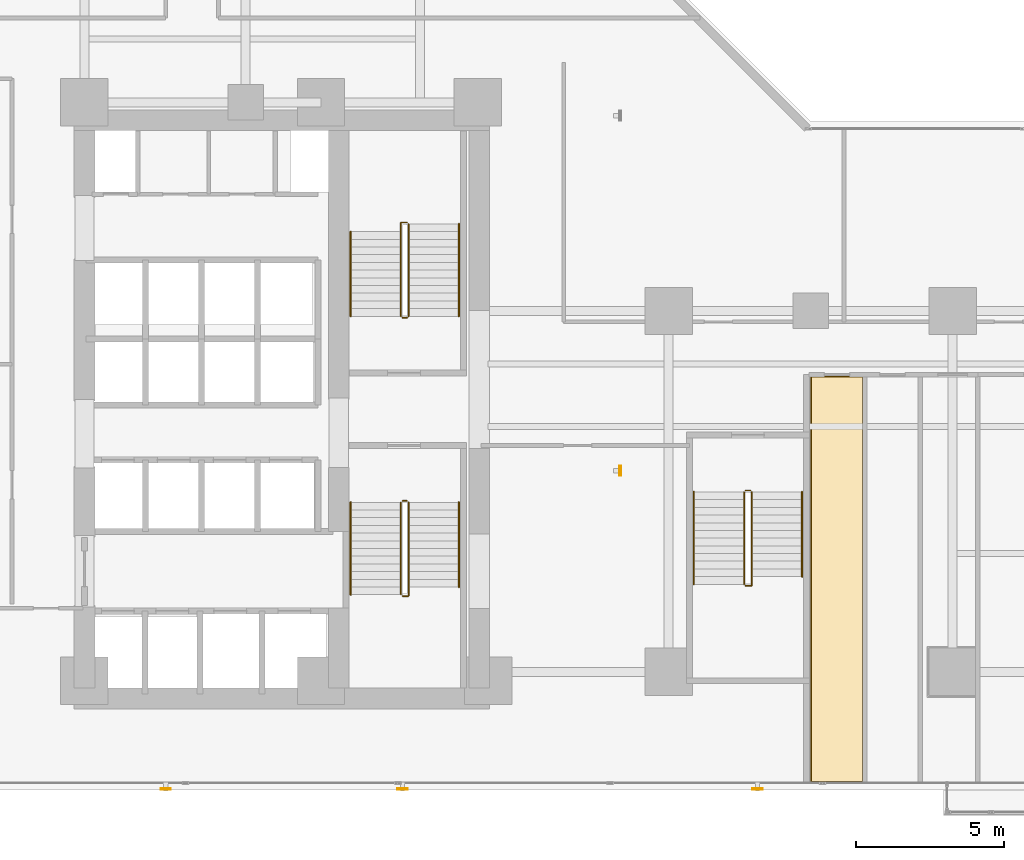
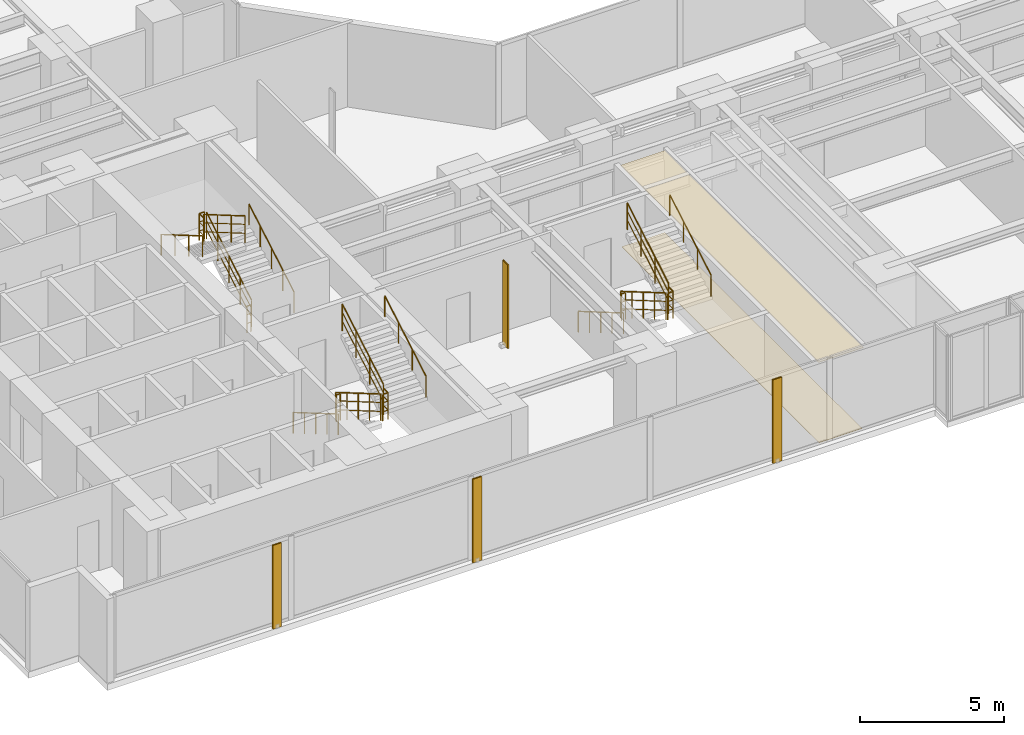
# One storey, part 26 of 28: 18 railings, 4 shading devices, 2 coverings.
"""IFC4 building model written with IfcOpenShell, lengths in metres."""

from ifc_helpers import new_model, si_unit, direction, frame, origin, origin_2d, place, context, subcontext, project, spatial, polyline, hollow_rectangle, circle, outline, extrude, material, layer, layer_set, material_profile, profile_set, type_object, element, save


model = new_model("IFC4")

# Units and contexts
model_context = context("Model", 3, precision=1e-05, world=origin(), true_north=direction((0.0, 1.0)))
body_context = subcontext(model_context, "Body", "Model", "MODEL_VIEW")
ifc_project = project(units=[si_unit("LENGTHUNIT", "METRE"), si_unit("AREAUNIT", "SQUARE_METRE"), si_unit("VOLUMEUNIT", "CUBIC_METRE"), si_unit("PLANEANGLEUNIT", "RADIAN"), si_unit("MASSUNIT", "GRAM", prefix="KILO")], contexts=[model_context])

# Site, building, storey
site_placement = place(None, origin())
site = spatial("IfcSite", under=ifc_project, at=site_placement, CompositionType="ELEMENT")
building_placement = place(site_placement, origin())
building = spatial("IfcBuilding", under=site, at=building_placement, Name="Kolvaren Waterfront Exchange", CompositionType="ELEMENT")
storey_placement = place(building_placement, frame((0.0, 0.0, 41.0)))
storey = spatial("IfcBuildingStorey", under=building, at=storey_placement, Name="L10", CompositionType="ELEMENT", Elevation=41.0)

# Covering
ifc_material_1 = material(Name="Mineral fibre acoustic ceiling tile")
ifc_layer_1 = layer(ifc_material_1, 0.02490234375, Name="Mineral fibre acoustic ceiling tile")
ifc_layer_set_1 = layer_set([ifc_layer_1], Name="Mineral fibre acoustic ceiling tile")
covering_type_1 = type_object("IfcCoveringType", Name="ARC-CEIL-ACOUSTIC-25", PredefinedType="CEILING", material=ifc_layer_set_1)
covering_1_placement = place(storey_placement, frame((0.0, 0.0, 3.425048828125)))
element("IfcCovering", 1, at=covering_1_placement, inside=storey, type_object=covering_type_1, Name="L10 acoustic suspended ceiling 1", PredefinedType="CEILING", context=body_context, shape_type="SweptSolid", body=[
    extrude(outline(polyline([(33.784912109375, 1.465087890625), (33.784912109375, 15.195068359375), (31.9951171875, 15.195068359375), (31.9951171875, 13.35009765625), (32.0, 13.35009765625), (32.0, 4.800048828125), (31.9951171875, 4.800048828125), (31.9951171875, 1.465087890625), (33.784912109375, 1.465087890625)])), origin(), (0.0, 0.0, 1.0), 0.02490234375),
])

# Shading devices
ifc_material_2 = material(Name="Anodised bronze aluminium 6063-T6", Category="aluminium")
ifc_material_profile = material_profile(ifc_material_2, hollow_rectangle(XDim=0.06005859375, YDim=0.35009765625, WallThickness=0.0048828125, at=origin_2d()), Name="BRZ-FIN-350x60x5")
ifc_profile_set = profile_set([ifc_material_profile], Name="Anodised bronze aluminium 6063-T6")
shading_device_type = type_object("IfcShadingDeviceType", Name="ARC-FIN-350", PredefinedType="USERDEFINED", material=ifc_profile_set)
for number, where, z_axis, x_axis, name in (
    (2, (10.199951171875, 1.239990234375, 0.0), (0.0, 0.0, 1.0), (0.0, -1.0, 0.0), "L10 anodised bronze solar shading fin FIN-L10-S1"),
    (3, (18.199951171875, 1.239990234375, 0.0), (0.0, 0.0, 1.0), (0.0, -1.0, 0.0), "L10 anodised bronze solar shading fin FIN-L10-S2"),
    (4, (30.199951171875, 1.239990234375, 0.0), (0.0, 0.0, 1.0), (0.0, -1.0, 0.0), "L10 anodised bronze solar shading fin FIN-L10-S3"),
    (5, (25.56005859375, 12.0, 0.0), (0.0, 0.0, 1.0), (1.0, 0.0, 0.0), "L10 anodised bronze solar shading fin FIN-L10-E1"),
):
    element("IfcShadingDevice", number, at=place(storey_placement, frame(where, z_axis=z_axis, x_axis=x_axis)), inside=storey, type_object=shading_device_type, Name=name, ObjectType="SOLAR FIN", PredefinedType="USERDEFINED", context=body_context, shape_type="SweptSolid", body=[
        extrude(hollow_rectangle(XDim=0.06005859375, YDim=0.35009765625, WallThickness=0.0048828125, at=origin_2d()), origin(), (0.0, 0.0, 1.0), 3.5400390625),
    ])

# Covering
ifc_material_3 = material(Name="Slip-resistant porcelain tile")
ifc_layer_2 = layer(ifc_material_3, 0.014892578125, Name="Slip-resistant porcelain tile")
ifc_layer_set_2 = layer_set([ifc_layer_2], Name="Slip-resistant porcelain tile")
covering_type_2 = type_object("IfcCoveringType", Name="ARC-FLR-PORC-15", PredefinedType="FLOORING", material=ifc_layer_set_2)
covering_2_placement = place(storey_placement, origin())
element("IfcCovering", 6, at=covering_2_placement, inside=storey, type_object=covering_type_2, Name="L10 floor finish 1", PredefinedType="FLOORING", context=body_context, shape_type="SweptSolid", body=[
    extrude(outline(polyline([(32.030029296875, 15.159912109375), (32.030029296875, 1.5), (33.75, 1.5), (33.75, 15.159912109375), (32.030029296875, 15.159912109375)])), origin(), (0.0, 0.0, 1.0), 0.014892578125),
])

# Railings
ifc_material_4 = material(Name="Stainless steel 316", Category="steel")
railing_type_1 = type_object("IfcRailingType", Name="ARC-GUARD-STAIR", PredefinedType="GUARDRAIL", material=ifc_material_4)
railing_1_placement = place(storey_placement, frame((18.14990234375, 10.929931640625, 0.152099609375)))
element("IfcRailing", 7, at=railing_1_placement, inside=storey, type_object=railing_type_1, Name="L10 ST1 stair guard 1", PredefinedType="GUARDRAIL", context=body_context, shape_type="SweptSolid", body=[
    extrude(circle(Radius=0.02392578125, at=origin_2d()), frame((0.0, 0.0, 1.1259765625), z_axis=(0.0, -0.86329090724, 0.504706656858), x_axis=(1.0, 0.0, 0.0)), (0.0, 0.0, 1.0), 3.614013671875),
    extrude(circle(Radius=0.01611328125, at=origin_2d()), frame((0.0, 0.0, 0.390869140625), z_axis=(0.0, -0.86329090724, 0.504706656858), x_axis=(1.0, 0.0, 0.0)), (0.0, 0.0, 1.0), 3.614013671875),
    extrude(circle(Radius=0.01611328125, at=origin_2d()), frame((0.0, 0.0, 0.7705078125), z_axis=(0.0, -0.86329090724, 0.504706656858), x_axis=(1.0, 0.0, 0.0)), (0.0, 0.0, 1.0), 3.614013671875),
    extrude(circle(Radius=0.02099609375, at=origin_2d()), origin(), (0.0, 0.0, 1.0), 1.101806640625),
    extrude(circle(Radius=0.02099609375, at=origin_2d()), frame((0.0, -0.780029296875, 0.4560546875)), (0.0, 0.0, 1.0), 1.101806640625),
    extrude(circle(Radius=0.02099609375, at=origin_2d()), frame((0.0, -1.56005859375, 0.912109375)), (0.0, 0.0, 1.0), 1.101806640625),
    extrude(circle(Radius=0.02099609375, at=origin_2d()), frame((0.0, -2.33984375, 1.367919921875)), (0.0, 0.0, 1.0), 1.101806640625),
    extrude(circle(Radius=0.02099609375, at=origin_2d()), frame((0.0, -3.119873046875, 1.823974609375)), (0.0, 0.0, 1.0), 1.101806640625),
])
railing_2_placement = place(storey_placement, frame((18.199951171875, 7.760009765625, 1.97607421875)))
element("IfcRailing", 8, at=railing_2_placement, inside=storey, type_object=railing_type_1, Name="L10 ST1 stair guard 2", PredefinedType="GUARDRAIL", context=body_context, shape_type="SweptSolid", body=[
    extrude(circle(Radius=0.02392578125, at=origin_2d()), frame((0.0, 0.0, 1.1259765625), z_axis=(1.0, 0.0, 0.0), x_axis=(0.0, 1.0, 0.0)), (0.0, 0.0, 1.0), 0.2099609375),
    extrude(circle(Radius=0.01611328125, at=origin_2d()), frame((0.0, 0.0, 0.390869140625), z_axis=(1.0, 0.0, 0.0), x_axis=(0.0, 1.0, 0.0)), (0.0, 0.0, 1.0), 0.2099609375),
    extrude(circle(Radius=0.01611328125, at=origin_2d()), frame((0.0, 0.0, 0.7705078125), z_axis=(1.0, 0.0, 0.0), x_axis=(0.0, 1.0, 0.0)), (0.0, 0.0, 1.0), 0.2099609375),
    extrude(circle(Radius=0.02392578125, at=origin_2d()), frame((0.2099609375, 0.0, 1.1259765625), z_axis=(0.0, 1.0, 0.0), x_axis=(-1.0, 0.0, 0.0)), (0.0, 0.0, 1.0), 0.31005859375),
    extrude(circle(Radius=0.01611328125, at=origin_2d()), frame((0.2099609375, 0.0, 0.390869140625), z_axis=(0.0, 1.0, 0.0), x_axis=(-1.0, 0.0, 0.0)), (0.0, 0.0, 1.0), 0.31005859375),
    extrude(circle(Radius=0.01611328125, at=origin_2d()), frame((0.2099609375, 0.0, 0.7705078125), z_axis=(0.0, 1.0, 0.0), x_axis=(-1.0, 0.0, 0.0)), (0.0, 0.0, 1.0), 0.31005859375),
    extrude(circle(Radius=0.02099609375, at=origin_2d()), origin(), (0.0, 0.0, 1.0), 1.101806640625),
    extrude(circle(Radius=0.02099609375, at=origin_2d()), frame((0.2099609375, 0.0, 0.0)), (0.0, 0.0, 1.0), 1.101806640625),
    extrude(circle(Radius=0.02099609375, at=origin_2d()), frame((0.2099609375, 0.31005859375, 0.0)), (0.0, 0.0, 1.0), 1.101806640625),
])
railing_3_placement = place(storey_placement, frame((18.409912109375, 8.070068359375, 2.1279296875)))
element("IfcRailing", 9, at=railing_3_placement, inside=storey, type_object=railing_type_1, Name="L10 ST1 stair guard 3", PredefinedType="GUARDRAIL", context=body_context, shape_type="SweptSolid", body=[
    extrude(circle(Radius=0.02392578125, at=origin_2d()), frame((0.0, 0.0, 1.1259765625), z_axis=(0.0, 0.863270611444, 0.50474137082), x_axis=(-1.0, 0.0, 0.0)), (0.0, 0.0, 1.0), 3.312744140625),
    extrude(circle(Radius=0.01611328125, at=origin_2d()), frame((0.0, 0.0, 0.390869140625), z_axis=(0.0, 0.863270611444, 0.50474137082), x_axis=(-1.0, 0.0, 0.0)), (0.0, 0.0, 1.0), 3.312744140625),
    extrude(circle(Radius=0.01611328125, at=origin_2d()), frame((0.0, 0.0, 0.7705078125), z_axis=(0.0, 0.863270611444, 0.50474137082), x_axis=(-1.0, 0.0, 0.0)), (0.0, 0.0, 1.0), 3.312744140625),
    extrude(circle(Radius=0.02099609375, at=origin_2d()), origin(), (0.0, 0.0, 1.0), 1.101806640625),
    extrude(circle(Radius=0.02099609375, at=origin_2d()), frame((0.0, 0.953369140625, 0.557373046875)), (0.0, 0.0, 1.0), 1.101806640625),
    extrude(circle(Radius=0.02099609375, at=origin_2d()), frame((0.0, 1.906494140625, 1.11474609375)), (0.0, 0.0, 1.0), 1.101806640625),
    extrude(circle(Radius=0.02099609375, at=origin_2d()), frame((0.0, 2.85986328125, 1.672119140625)), (0.0, 0.0, 1.0), 1.101806640625),
])
railing_4_placement = place(storey_placement, frame((18.199951171875, 10.97998046875, 0.0)))
element("IfcRailing", 10, at=railing_4_placement, inside=storey, type_object=railing_type_1, Name="L10 ST1 stair guard 4", PredefinedType="GUARDRAIL", context=body_context, shape_type="SweptSolid", body=[
    extrude(circle(Radius=0.02392578125, at=origin_2d()), frame((0.0, 0.0, 1.1259765625), z_axis=(1.0, 0.0, 0.0), x_axis=(0.0, 1.0, 0.0)), (0.0, 0.0, 1.0), 0.16015625),
    extrude(circle(Radius=0.01611328125, at=origin_2d()), frame((0.0, 0.0, 0.390869140625), z_axis=(1.0, 0.0, 0.0), x_axis=(0.0, 1.0, 0.0)), (0.0, 0.0, 1.0), 0.16015625),
    extrude(circle(Radius=0.01611328125, at=origin_2d()), frame((0.0, 0.0, 0.7705078125), z_axis=(1.0, 0.0, 0.0), x_axis=(0.0, 1.0, 0.0)), (0.0, 0.0, 1.0), 0.16015625),
    extrude(circle(Radius=0.02099609375, at=origin_2d()), origin(), (0.0, 0.0, 1.0), 1.101806640625),
    extrude(circle(Radius=0.02099609375, at=origin_2d()), frame((0.16015625, 0.0, 0.0)), (0.0, 0.0, 1.0), 1.101806640625),
])
railing_5_placement = place(storey_placement, frame((18.409912109375, 17.219970703125, 0.152099609375)))
element("IfcRailing", 11, at=railing_5_placement, inside=storey, type_object=railing_type_1, Name="L10 ST2 stair guard 1", PredefinedType="GUARDRAIL", context=body_context, shape_type="SweptSolid", body=[
    extrude(circle(Radius=0.02392578125, at=origin_2d()), frame((0.0, 0.0, 1.1259765625), z_axis=(0.0, 0.86330811405, 0.504677223793), x_axis=(-1.0, 0.0, 0.0)), (0.0, 0.0, 1.0), 3.6142578125),
    extrude(circle(Radius=0.01611328125, at=origin_2d()), frame((0.0, 0.0, 0.390869140625), z_axis=(0.0, 0.86330811405, 0.504677223793), x_axis=(-1.0, 0.0, 0.0)), (0.0, 0.0, 1.0), 3.6142578125),
    extrude(circle(Radius=0.01611328125, at=origin_2d()), frame((0.0, 0.0, 0.7705078125), z_axis=(0.0, 0.86330811405, 0.504677223793), x_axis=(-1.0, 0.0, 0.0)), (0.0, 0.0, 1.0), 3.6142578125),
    extrude(circle(Radius=0.02099609375, at=origin_2d()), origin(), (0.0, 0.0, 1.0), 1.101806640625),
    extrude(circle(Radius=0.02099609375, at=origin_2d()), frame((0.0, 0.780029296875, 0.4560546875)), (0.0, 0.0, 1.0), 1.101806640625),
    extrude(circle(Radius=0.02099609375, at=origin_2d()), frame((0.0, 1.56005859375, 0.912109375)), (0.0, 0.0, 1.0), 1.101806640625),
    extrude(circle(Radius=0.02099609375, at=origin_2d()), frame((0.0, 2.340087890625, 1.367919921875)), (0.0, 0.0, 1.0), 1.101806640625),
    extrude(circle(Radius=0.02099609375, at=origin_2d()), frame((0.0, 3.1201171875, 1.823974609375)), (0.0, 0.0, 1.0), 1.101806640625),
])
railing_6_placement = place(storey_placement, frame((18.360107421875, 20.389892578125, 1.97607421875)))
element("IfcRailing", 12, at=railing_6_placement, inside=storey, type_object=railing_type_1, Name="L10 ST2 stair guard 2", PredefinedType="GUARDRAIL", context=body_context, shape_type="SweptSolid", body=[
    extrude(circle(Radius=0.02392578125, at=origin_2d()), frame((0.0, 0.0, 1.1259765625), z_axis=(-1.0, 0.0, 0.0), x_axis=(0.0, -1.0, 0.0)), (0.0, 0.0, 1.0), 0.210205078125),
    extrude(circle(Radius=0.01611328125, at=origin_2d()), frame((0.0, 0.0, 0.390869140625), z_axis=(-1.0, 0.0, 0.0), x_axis=(0.0, -1.0, 0.0)), (0.0, 0.0, 1.0), 0.210205078125),
    extrude(circle(Radius=0.01611328125, at=origin_2d()), frame((0.0, 0.0, 0.7705078125), z_axis=(-1.0, 0.0, 0.0), x_axis=(0.0, -1.0, 0.0)), (0.0, 0.0, 1.0), 0.210205078125),
    extrude(circle(Radius=0.02392578125, at=origin_2d()), frame((-0.210205078125, 0.0, 1.1259765625), z_axis=(0.0, -1.0, 0.0), x_axis=(1.0, 0.0, 0.0)), (0.0, 0.0, 1.0), 0.309814453125),
    extrude(circle(Radius=0.01611328125, at=origin_2d()), frame((-0.210205078125, 0.0, 0.390869140625), z_axis=(0.0, -1.0, 0.0), x_axis=(1.0, 0.0, 0.0)), (0.0, 0.0, 1.0), 0.309814453125),
    extrude(circle(Radius=0.01611328125, at=origin_2d()), frame((-0.210205078125, 0.0, 0.7705078125), z_axis=(0.0, -1.0, 0.0), x_axis=(1.0, 0.0, 0.0)), (0.0, 0.0, 1.0), 0.309814453125),
    extrude(circle(Radius=0.02099609375, at=origin_2d()), origin(), (0.0, 0.0, 1.0), 1.101806640625),
    extrude(circle(Radius=0.02099609375, at=origin_2d()), frame((-0.210205078125, 0.0, 0.0)), (0.0, 0.0, 1.0), 1.101806640625),
    extrude(circle(Radius=0.02099609375, at=origin_2d()), frame((-0.210205078125, -0.309814453125, 0.0)), (0.0, 0.0, 1.0), 1.101806640625),
])
railing_7_placement = place(storey_placement, frame((18.14990234375, 20.080078125, 2.1279296875)))
element("IfcRailing", 13, at=railing_7_placement, inside=storey, type_object=railing_type_1, Name="L10 ST2 stair guard 3", PredefinedType="GUARDRAIL", context=body_context, shape_type="SweptSolid", body=[
    extrude(circle(Radius=0.02392578125, at=origin_2d()), frame((0.0, 0.0, 1.1259765625), z_axis=(0.0, -0.863289384635, 0.504709261235), x_axis=(1.0, 0.0, 0.0)), (0.0, 0.0, 1.0), 3.31298828125),
    extrude(circle(Radius=0.01611328125, at=origin_2d()), frame((0.0, 0.0, 0.390869140625), z_axis=(0.0, -0.863289384635, 0.504709261235), x_axis=(1.0, 0.0, 0.0)), (0.0, 0.0, 1.0), 3.31298828125),
    extrude(circle(Radius=0.01611328125, at=origin_2d()), frame((0.0, 0.0, 0.7705078125), z_axis=(0.0, -0.863289384635, 0.504709261235), x_axis=(1.0, 0.0, 0.0)), (0.0, 0.0, 1.0), 3.31298828125),
    extrude(circle(Radius=0.02099609375, at=origin_2d()), origin(), (0.0, 0.0, 1.0), 1.101806640625),
    extrude(circle(Radius=0.02099609375, at=origin_2d()), frame((0.0, -0.953369140625, 0.557373046875)), (0.0, 0.0, 1.0), 1.101806640625),
    extrude(circle(Radius=0.02099609375, at=origin_2d()), frame((0.0, -1.90673828125, 1.11474609375)), (0.0, 0.0, 1.0), 1.101806640625),
    extrude(circle(Radius=0.02099609375, at=origin_2d()), frame((0.0, -2.860107421875, 1.672119140625)), (0.0, 0.0, 1.0), 1.101806640625),
])
railing_8_placement = place(storey_placement, frame((18.360107421875, 17.169921875, 0.0)))
element("IfcRailing", 14, at=railing_8_placement, inside=storey, type_object=railing_type_1, Name="L10 ST2 stair guard 4", PredefinedType="GUARDRAIL", context=body_context, shape_type="SweptSolid", body=[
    extrude(circle(Radius=0.02392578125, at=origin_2d()), frame((0.0, 0.0, 1.1259765625), z_axis=(-1.0, 0.0, 0.0), x_axis=(0.0, -1.0, 0.0)), (0.0, 0.0, 1.0), 0.16015625),
    extrude(circle(Radius=0.01611328125, at=origin_2d()), frame((0.0, 0.0, 0.390869140625), z_axis=(-1.0, 0.0, 0.0), x_axis=(0.0, -1.0, 0.0)), (0.0, 0.0, 1.0), 0.16015625),
    extrude(circle(Radius=0.01611328125, at=origin_2d()), frame((0.0, 0.0, 0.7705078125), z_axis=(-1.0, 0.0, 0.0), x_axis=(0.0, -1.0, 0.0)), (0.0, 0.0, 1.0), 0.16015625),
    extrude(circle(Radius=0.02099609375, at=origin_2d()), origin(), (0.0, 0.0, 1.0), 1.101806640625),
    extrude(circle(Radius=0.02099609375, at=origin_2d()), frame((-0.16015625, 0.0, 0.0)), (0.0, 0.0, 1.0), 1.101806640625),
])
railing_9_placement = place(storey_placement, frame((29.75, 11.280029296875, 0.152099609375)))
element("IfcRailing", 15, at=railing_9_placement, inside=storey, type_object=railing_type_1, Name="L10 ST3 stair guard 1", PredefinedType="GUARDRAIL", context=body_context, shape_type="SweptSolid", body=[
    extrude(circle(Radius=0.02392578125, at=origin_2d()), frame((0.0, 0.0, 1.1259765625), z_axis=(0.0, -0.86330811405, 0.504677223793), x_axis=(1.0, 0.0, 0.0)), (0.0, 0.0, 1.0), 3.6142578125),
    extrude(circle(Radius=0.01611328125, at=origin_2d()), frame((0.0, 0.0, 0.390869140625), z_axis=(0.0, -0.86330811405, 0.504677223793), x_axis=(1.0, 0.0, 0.0)), (0.0, 0.0, 1.0), 3.6142578125),
    extrude(circle(Radius=0.01611328125, at=origin_2d()), frame((0.0, 0.0, 0.7705078125), z_axis=(0.0, -0.86330811405, 0.504677223793), x_axis=(1.0, 0.0, 0.0)), (0.0, 0.0, 1.0), 3.6142578125),
    extrude(circle(Radius=0.02099609375, at=origin_2d()), origin(), (0.0, 0.0, 1.0), 1.101806640625),
    extrude(circle(Radius=0.02099609375, at=origin_2d()), frame((0.0, -0.780029296875, 0.4560546875)), (0.0, 0.0, 1.0), 1.101806640625),
    extrude(circle(Radius=0.02099609375, at=origin_2d()), frame((0.0, -1.56005859375, 0.912109375)), (0.0, 0.0, 1.0), 1.101806640625),
    extrude(circle(Radius=0.02099609375, at=origin_2d()), frame((0.0, -2.340087890625, 1.367919921875)), (0.0, 0.0, 1.0), 1.101806640625),
    extrude(circle(Radius=0.02099609375, at=origin_2d()), frame((0.0, -3.1201171875, 1.823974609375)), (0.0, 0.0, 1.0), 1.101806640625),
])
railing_10_placement = place(storey_placement, frame((29.800048828125, 8.110107421875, 1.97607421875)))
element("IfcRailing", 16, at=railing_10_placement, inside=storey, type_object=railing_type_1, Name="L10 ST3 stair guard 2", PredefinedType="GUARDRAIL", context=body_context, shape_type="SweptSolid", body=[
    extrude(circle(Radius=0.02392578125, at=origin_2d()), frame((0.0, 0.0, 1.1259765625), z_axis=(1.0, 0.0, 0.0), x_axis=(0.0, 1.0, 0.0)), (0.0, 0.0, 1.0), 0.2099609375),
    extrude(circle(Radius=0.01611328125, at=origin_2d()), frame((0.0, 0.0, 0.390869140625), z_axis=(1.0, 0.0, 0.0), x_axis=(0.0, 1.0, 0.0)), (0.0, 0.0, 1.0), 0.2099609375),
    extrude(circle(Radius=0.01611328125, at=origin_2d()), frame((0.0, 0.0, 0.7705078125), z_axis=(1.0, 0.0, 0.0), x_axis=(0.0, 1.0, 0.0)), (0.0, 0.0, 1.0), 0.2099609375),
    extrude(circle(Radius=0.02392578125, at=origin_2d()), frame((0.2099609375, 0.0, 1.1259765625), z_axis=(0.0, 1.0, 0.0), x_axis=(-1.0, 0.0, 0.0)), (0.0, 0.0, 1.0), 0.309814453125),
    extrude(circle(Radius=0.01611328125, at=origin_2d()), frame((0.2099609375, 0.0, 0.390869140625), z_axis=(0.0, 1.0, 0.0), x_axis=(-1.0, 0.0, 0.0)), (0.0, 0.0, 1.0), 0.309814453125),
    extrude(circle(Radius=0.01611328125, at=origin_2d()), frame((0.2099609375, 0.0, 0.7705078125), z_axis=(0.0, 1.0, 0.0), x_axis=(-1.0, 0.0, 0.0)), (0.0, 0.0, 1.0), 0.309814453125),
    extrude(circle(Radius=0.02099609375, at=origin_2d()), origin(), (0.0, 0.0, 1.0), 1.101806640625),
    extrude(circle(Radius=0.02099609375, at=origin_2d()), frame((0.2099609375, 0.0, 0.0)), (0.0, 0.0, 1.0), 1.101806640625),
    extrude(circle(Radius=0.02099609375, at=origin_2d()), frame((0.2099609375, 0.309814453125, 0.0)), (0.0, 0.0, 1.0), 1.101806640625),
])
railing_11_placement = place(storey_placement, frame((30.010009765625, 8.419921875, 2.1279296875)))
element("IfcRailing", 17, at=railing_11_placement, inside=storey, type_object=railing_type_1, Name="L10 ST3 stair guard 3", PredefinedType="GUARDRAIL", context=body_context, shape_type="SweptSolid", body=[
    extrude(circle(Radius=0.02392578125, at=origin_2d()), frame((0.0, 0.0, 1.1259765625), z_axis=(0.0, 0.863289384635, 0.504709261235), x_axis=(-1.0, 0.0, 0.0)), (0.0, 0.0, 1.0), 3.31298828125),
    extrude(circle(Radius=0.01611328125, at=origin_2d()), frame((0.0, 0.0, 0.390869140625), z_axis=(0.0, 0.863289384635, 0.504709261235), x_axis=(-1.0, 0.0, 0.0)), (0.0, 0.0, 1.0), 3.31298828125),
    extrude(circle(Radius=0.01611328125, at=origin_2d()), frame((0.0, 0.0, 0.7705078125), z_axis=(0.0, 0.863289384635, 0.504709261235), x_axis=(-1.0, 0.0, 0.0)), (0.0, 0.0, 1.0), 3.31298828125),
    extrude(circle(Radius=0.02099609375, at=origin_2d()), origin(), (0.0, 0.0, 1.0), 1.101806640625),
    extrude(circle(Radius=0.02099609375, at=origin_2d()), frame((0.0, 0.953369140625, 0.557373046875)), (0.0, 0.0, 1.0), 1.101806640625),
    extrude(circle(Radius=0.02099609375, at=origin_2d()), frame((0.0, 1.90673828125, 1.11474609375)), (0.0, 0.0, 1.0), 1.101806640625),
    extrude(circle(Radius=0.02099609375, at=origin_2d()), frame((0.0, 2.860107421875, 1.672119140625)), (0.0, 0.0, 1.0), 1.101806640625),
])
railing_12_placement = place(storey_placement, frame((29.800048828125, 11.330078125, 0.0)))
element("IfcRailing", 18, at=railing_12_placement, inside=storey, type_object=railing_type_1, Name="L10 ST3 stair guard 4", PredefinedType="GUARDRAIL", context=body_context, shape_type="SweptSolid", body=[
    extrude(circle(Radius=0.02392578125, at=origin_2d()), frame((0.0, 0.0, 1.1259765625), z_axis=(1.0, 0.0, 0.0), x_axis=(0.0, 1.0, 0.0)), (0.0, 0.0, 1.0), 0.159912109375),
    extrude(circle(Radius=0.01611328125, at=origin_2d()), frame((0.0, 0.0, 0.390869140625), z_axis=(1.0, 0.0, 0.0), x_axis=(0.0, 1.0, 0.0)), (0.0, 0.0, 1.0), 0.159912109375),
    extrude(circle(Radius=0.01611328125, at=origin_2d()), frame((0.0, 0.0, 0.7705078125), z_axis=(1.0, 0.0, 0.0), x_axis=(0.0, 1.0, 0.0)), (0.0, 0.0, 1.0), 0.159912109375),
    extrude(circle(Radius=0.02099609375, at=origin_2d()), origin(), (0.0, 0.0, 1.0), 1.101806640625),
    extrude(circle(Radius=0.02099609375, at=origin_2d()), frame((0.159912109375, 0.0, 0.0)), (0.0, 0.0, 1.0), 1.101806640625),
])
railing_type_2 = type_object("IfcRailingType", Name="ARC-HANDRAIL-900", PredefinedType="HANDRAIL", material=ifc_material_4)
railing_13_placement = place(storey_placement, frame((16.449951171875, 10.929931640625, 0.152099609375)))
element("IfcRailing", 19, at=railing_13_placement, inside=storey, type_object=railing_type_2, Name="L10 ST1 stair handrail 1", PredefinedType="HANDRAIL", context=body_context, shape_type="SweptSolid", body=[
    extrude(circle(Radius=0.02392578125, at=origin_2d()), frame((0.0, 0.0, 0.8759765625), z_axis=(0.0, -0.86329090724, 0.504706656858), x_axis=(1.0, 0.0, 0.0)), (0.0, 0.0, 1.0), 3.614013671875),
    extrude(circle(Radius=0.02099609375, at=origin_2d()), origin(), (0.0, 0.0, 1.0), 0.851806640625),
    extrude(circle(Radius=0.02099609375, at=origin_2d()), frame((0.0, -0.780029296875, 0.4560546875)), (0.0, 0.0, 1.0), 0.851806640625),
    extrude(circle(Radius=0.02099609375, at=origin_2d()), frame((0.0, -1.56005859375, 0.912109375)), (0.0, 0.0, 1.0), 0.851806640625),
    extrude(circle(Radius=0.02099609375, at=origin_2d()), frame((0.0, -2.33984375, 1.367919921875)), (0.0, 0.0, 1.0), 0.851806640625),
    extrude(circle(Radius=0.02099609375, at=origin_2d()), frame((0.0, -3.119873046875, 1.823974609375)), (0.0, 0.0, 1.0), 0.851806640625),
])
railing_14_placement = place(storey_placement, frame((20.110107421875, 8.070068359375, 2.1279296875)))
element("IfcRailing", 20, at=railing_14_placement, inside=storey, type_object=railing_type_2, Name="L10 ST1 stair handrail 2", PredefinedType="HANDRAIL", context=body_context, shape_type="SweptSolid", body=[
    extrude(circle(Radius=0.02392578125, at=origin_2d()), frame((0.0, 0.0, 0.8759765625), z_axis=(0.0, 0.863270611444, 0.50474137082), x_axis=(-1.0, 0.0, 0.0)), (0.0, 0.0, 1.0), 3.312744140625),
    extrude(circle(Radius=0.02099609375, at=origin_2d()), origin(), (0.0, 0.0, 1.0), 0.851806640625),
    extrude(circle(Radius=0.02099609375, at=origin_2d()), frame((0.0, 0.953369140625, 0.557373046875)), (0.0, 0.0, 1.0), 0.851806640625),
    extrude(circle(Radius=0.02099609375, at=origin_2d()), frame((0.0, 1.906494140625, 1.11474609375)), (0.0, 0.0, 1.0), 0.851806640625),
    extrude(circle(Radius=0.02099609375, at=origin_2d()), frame((0.0, 2.85986328125, 1.672119140625)), (0.0, 0.0, 1.0), 0.851806640625),
])
railing_15_placement = place(storey_placement, frame((20.110107421875, 17.219970703125, 0.152099609375)))
element("IfcRailing", 21, at=railing_15_placement, inside=storey, type_object=railing_type_2, Name="L10 ST2 stair handrail 1", PredefinedType="HANDRAIL", context=body_context, shape_type="SweptSolid", body=[
    extrude(circle(Radius=0.02392578125, at=origin_2d()), frame((0.0, 0.0, 0.8759765625), z_axis=(0.0, 0.86330811405, 0.504677223793), x_axis=(-1.0, 0.0, 0.0)), (0.0, 0.0, 1.0), 3.6142578125),
    extrude(circle(Radius=0.02099609375, at=origin_2d()), origin(), (0.0, 0.0, 1.0), 0.851806640625),
    extrude(circle(Radius=0.02099609375, at=origin_2d()), frame((0.0, 0.780029296875, 0.4560546875)), (0.0, 0.0, 1.0), 0.851806640625),
    extrude(circle(Radius=0.02099609375, at=origin_2d()), frame((0.0, 1.56005859375, 0.912109375)), (0.0, 0.0, 1.0), 0.851806640625),
    extrude(circle(Radius=0.02099609375, at=origin_2d()), frame((0.0, 2.340087890625, 1.367919921875)), (0.0, 0.0, 1.0), 0.851806640625),
    extrude(circle(Radius=0.02099609375, at=origin_2d()), frame((0.0, 3.1201171875, 1.823974609375)), (0.0, 0.0, 1.0), 0.851806640625),
])
railing_16_placement = place(storey_placement, frame((16.449951171875, 20.080078125, 2.1279296875)))
element("IfcRailing", 22, at=railing_16_placement, inside=storey, type_object=railing_type_2, Name="L10 ST2 stair handrail 2", PredefinedType="HANDRAIL", context=body_context, shape_type="SweptSolid", body=[
    extrude(circle(Radius=0.02392578125, at=origin_2d()), frame((0.0, 0.0, 0.8759765625), z_axis=(0.0, -0.863289384635, 0.504709261235), x_axis=(1.0, 0.0, 0.0)), (0.0, 0.0, 1.0), 3.31298828125),
    extrude(circle(Radius=0.02099609375, at=origin_2d()), origin(), (0.0, 0.0, 1.0), 0.851806640625),
    extrude(circle(Radius=0.02099609375, at=origin_2d()), frame((0.0, -0.953369140625, 0.557373046875)), (0.0, 0.0, 1.0), 0.851806640625),
    extrude(circle(Radius=0.02099609375, at=origin_2d()), frame((0.0, -1.90673828125, 1.11474609375)), (0.0, 0.0, 1.0), 0.851806640625),
    extrude(circle(Radius=0.02099609375, at=origin_2d()), frame((0.0, -2.860107421875, 1.672119140625)), (0.0, 0.0, 1.0), 0.851806640625),
])
railing_17_placement = place(storey_placement, frame((28.050048828125, 11.280029296875, 0.152099609375)))
element("IfcRailing", 23, at=railing_17_placement, inside=storey, type_object=railing_type_2, Name="L10 ST3 stair handrail 1", PredefinedType="HANDRAIL", context=body_context, shape_type="SweptSolid", body=[
    extrude(circle(Radius=0.02392578125, at=origin_2d()), frame((0.0, 0.0, 0.8759765625), z_axis=(0.0, -0.86330811405, 0.504677223793), x_axis=(1.0, 0.0, 0.0)), (0.0, 0.0, 1.0), 3.6142578125),
    extrude(circle(Radius=0.02099609375, at=origin_2d()), origin(), (0.0, 0.0, 1.0), 0.851806640625),
    extrude(circle(Radius=0.02099609375, at=origin_2d()), frame((0.0, -0.780029296875, 0.4560546875)), (0.0, 0.0, 1.0), 0.851806640625),
    extrude(circle(Radius=0.02099609375, at=origin_2d()), frame((0.0, -1.56005859375, 0.912109375)), (0.0, 0.0, 1.0), 0.851806640625),
    extrude(circle(Radius=0.02099609375, at=origin_2d()), frame((0.0, -2.340087890625, 1.367919921875)), (0.0, 0.0, 1.0), 0.851806640625),
    extrude(circle(Radius=0.02099609375, at=origin_2d()), frame((0.0, -3.1201171875, 1.823974609375)), (0.0, 0.0, 1.0), 0.851806640625),
])
railing_18_placement = place(storey_placement, frame((31.7099609375, 8.419921875, 2.1279296875)))
element("IfcRailing", 24, at=railing_18_placement, inside=storey, type_object=railing_type_2, Name="L10 ST3 stair handrail 2", PredefinedType="HANDRAIL", context=body_context, shape_type="SweptSolid", body=[
    extrude(circle(Radius=0.02392578125, at=origin_2d()), frame((0.0, 0.0, 0.8759765625), z_axis=(0.0, 0.863289384635, 0.504709261235), x_axis=(-1.0, 0.0, 0.0)), (0.0, 0.0, 1.0), 3.31298828125),
    extrude(circle(Radius=0.02099609375, at=origin_2d()), origin(), (0.0, 0.0, 1.0), 0.851806640625),
    extrude(circle(Radius=0.02099609375, at=origin_2d()), frame((0.0, 0.953369140625, 0.557373046875)), (0.0, 0.0, 1.0), 0.851806640625),
    extrude(circle(Radius=0.02099609375, at=origin_2d()), frame((0.0, 1.90673828125, 1.11474609375)), (0.0, 0.0, 1.0), 0.851806640625),
    extrude(circle(Radius=0.02099609375, at=origin_2d()), frame((0.0, 2.860107421875, 1.672119140625)), (0.0, 0.0, 1.0), 0.851806640625),
])

save(model, "model.ifc")
